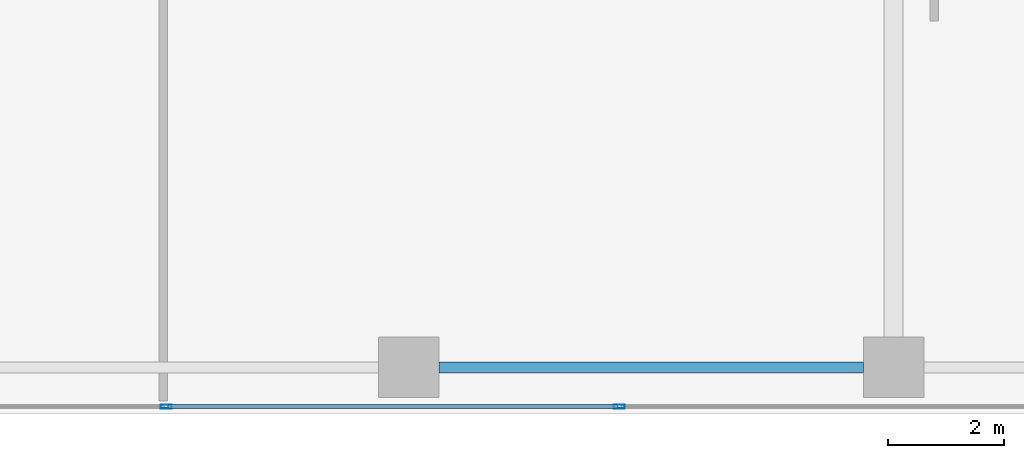
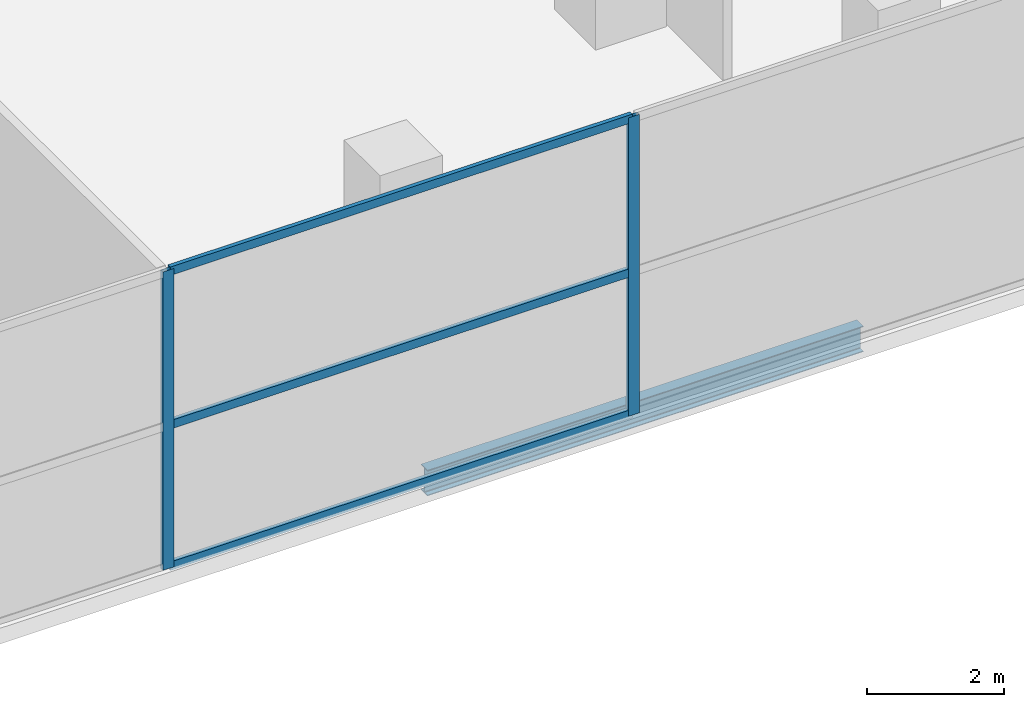
# One storey, part 13 of 40: 5 members, 1 beam, 1 element without a shape of its own.
"""IFC4 building model written with IfcOpenShell, lengths in metres."""

from ifc_helpers import new_model, si_unit, direction, frame, origin, origin_2d, place, context, subcontext, project, spatial, hollow_rectangle, i_section, extrude, material, layer, layer_set, material_profile, profile_set, type_object, element, aggregate, save


model = new_model("IFC4")

# Units and contexts
model_context = context("Model", 3, precision=1e-05, world=origin(), true_north=direction((0.0, 1.0)))
body_context = subcontext(model_context, "Body", "Model", "MODEL_VIEW")
ifc_project = project(units=[si_unit("LENGTHUNIT", "METRE"), si_unit("AREAUNIT", "SQUARE_METRE"), si_unit("VOLUMEUNIT", "CUBIC_METRE"), si_unit("PLANEANGLEUNIT", "RADIAN"), si_unit("MASSUNIT", "GRAM", prefix="KILO")], contexts=[model_context])

# Site, building, storey
site_placement = place(None, origin())
site = spatial("IfcSite", under=ifc_project, at=site_placement, CompositionType="ELEMENT")
building_placement = place(site_placement, origin())
building = spatial("IfcBuilding", under=site, at=building_placement, Name="Maruvema Waterfront Hotel and Observation Tower", CompositionType="ELEMENT")
storey_placement = place(building_placement, frame((0.0, 0.0, 10.85009765625)))
storey = spatial("IfcBuildingStorey", under=building, at=storey_placement, Name="L02", CompositionType="ELEMENT", Elevation=10.85009765625)

# Curtain wall, members
ifc_material_1 = material(Name="Anodised bronze aluminium and solar-control low-E IGU", Category="aluminium")
ifc_layer = layer(ifc_material_1, 0.159912109375, Name="Podium Waterfront Storefront Curtain Wall System CW-01")
ifc_layer_set = layer_set([ifc_layer], Name="Anodised bronze aluminium and solar-control low-E IGU")
curtain_wall_type = type_object("IfcCurtainWallType", Name="Podium Waterfront Storefront Curtain Wall System CW-01", PredefinedType="USERDEFINED", material=ifc_layer_set)
curtain_wall_placement = place(storey_placement, origin())
curtain_wall = element("IfcCurtainWall", 1, at=curtain_wall_placement, inside=storey, type_object=curtain_wall_type, Name="L02 Curtain Wall CW-L02-S", ObjectType="UNITISED CURTAIN WALL", PredefinedType="USERDEFINED")
ifc_material_2 = material(Name="Anodised architectural bronze aluminium", Category="aluminium")
ifc_material_profile_1 = material_profile(ifc_material_2, hollow_rectangle(XDim=0.070068359375, YDim=0.14990234375, WallThickness=0.00390625, at=origin_2d()), Name="ALU-T70x150")
ifc_profile_set_1 = profile_set([ifc_material_profile_1], Name="Anodised architectural bronze aluminium")
member_type_1 = type_object("IfcMemberType", Name="Curtain Wall Horizontal Transom ALU-T70x150", PredefinedType="USERDEFINED", material=ifc_profile_set_1)
member_1_placement = place(storey_placement, frame((37.830078125, 0.1201171875, 0.02978515625), z_axis=(1.0, 0.0, 0.0), x_axis=(0.0, 1.0, 0.0)))
member_1 = element("IfcMember", 2, at=member_1_placement, type_object=member_type_1, Name="CW-01 transom 5.1", ObjectType="TRANSOM", PredefinedType="USERDEFINED", context=body_context, shape_type="SweptSolid", body=[
    extrude(hollow_rectangle(XDim=0.070068359375, YDim=0.14990234375, WallThickness=0.00390625, at=origin_2d()), origin(), (0.0, 0.0, 1.0), 7.7900390625),
])
member_2_placement = place(storey_placement, frame((37.830078125, 0.1201171875, 2.5498046875), z_axis=(1.0, 0.0, 0.0), x_axis=(0.0, 1.0, 0.0)))
member_2 = element("IfcMember", 3, at=member_2_placement, type_object=member_type_1, Name="CW-01 transom 5.2", ObjectType="TRANSOM", PredefinedType="USERDEFINED", context=body_context, shape_type="SweptSolid", body=[
    extrude(hollow_rectangle(XDim=0.070068359375, YDim=0.14990234375, WallThickness=0.00390625, at=origin_2d()), origin(), (0.0, 0.0, 1.0), 7.7900390625),
])
member_3_placement = place(storey_placement, frame((37.830078125, 0.1201171875, 5.289794921875), z_axis=(1.0, 0.0, 0.0), x_axis=(0.0, 1.0, 0.0)))
member_3 = element("IfcMember", 4, at=member_3_placement, type_object=member_type_1, Name="CW-01 transom 5.3", ObjectType="TRANSOM", PredefinedType="USERDEFINED", context=body_context, shape_type="SweptSolid", body=[
    extrude(hollow_rectangle(XDim=0.070068359375, YDim=0.14990234375, WallThickness=0.00390625, at=origin_2d()), origin(), (0.0, 0.0, 1.0), 7.7900390625),
])

# Beam
ifc_material_3 = material(Name="Steel ASTM A572 Grade 50", Category="steel")
ifc_material_profile_2 = material_profile(ifc_material_3, i_section(OverallWidth=0.18994140625, OverallDepth=0.45703125, WebThickness=0.009033203125, FlangeThickness=0.014404296875, FilletRadius=0.014892578125, at=origin_2d()), Name="W460x74.0")
ifc_profile_set_2 = profile_set([ifc_material_profile_2], Name="Steel ASTM A572 Grade 50")
beam_type = type_object("IfcBeamType", Name="Perimeter Spandrel Beam W460x74.0", PredefinedType="SPANDREL", material=ifc_profile_set_2)
beam_placement = place(storey_placement, frame((42.52490234375, 0.800048828125, -0.508544921875), z_axis=(1.0, 0.0, 0.0), x_axis=(0.0, 1.0, 0.0)))
element("IfcBeam", 5, at=beam_placement, inside=storey, type_object=beam_type, Name="L02 Floor Girder EW-06", PredefinedType="SPANDREL", context=body_context, shape_type="SweptSolid", body=[
    extrude(i_section(OverallWidth=0.18994140625, OverallDepth=0.45703125, WebThickness=0.009033203125, FlangeThickness=0.014404296875, FilletRadius=0.014892578125, at=origin_2d()), origin(), (0.0, 0.0, 1.0), 7.35009765625),
])

# Member
ifc_material_4 = material(Name="Anodised architectural bronze aluminium", Category="aluminium")
ifc_material_profile_3 = material_profile(ifc_material_4, hollow_rectangle(XDim=0.070068359375, YDim=0.18994140625, WallThickness=0.00390625, at=origin_2d()), Name="ALU-M70x190")
ifc_profile_set_3 = profile_set([ifc_material_profile_3], Name="Anodised architectural bronze aluminium")
member_type_2 = type_object("IfcMemberType", Name="Podium Storefront Heavy Mullion ALU-M70x190", PredefinedType="MULLION", material=ifc_profile_set_3)
member_4_placement = place(storey_placement, frame((37.800048828125, 0.1201171875, 0.0), z_axis=(0.0, 0.0, 1.0), x_axis=(0.0, 1.0, 0.0)))
member_4 = element("IfcMember", 6, at=member_4_placement, type_object=member_type_2, Name="CW-01 mullion 5", PredefinedType="MULLION", context=body_context, shape_type="SweptSolid", body=[
    extrude(hollow_rectangle(XDim=0.070068359375, YDim=0.18994140625, WallThickness=0.00390625, at=origin_2d()), origin(), (0.0, 0.0, 1.0), 5.31982421875),
])

member_5_placement = place(storey_placement, frame((45.64990234375, 0.1201171875, 0.0), z_axis=(0.0, 0.0, 1.0), x_axis=(0.0, 1.0, 0.0)))
member_5 = element("IfcMember", 7, at=member_5_placement, type_object=member_type_2, Name="CW-01 mullion 6", PredefinedType="MULLION", context=body_context, shape_type="SweptSolid", body=[
    extrude(hollow_rectangle(XDim=0.070068359375, YDim=0.18994140625, WallThickness=0.00390625, at=origin_2d()), origin(), (0.0, 0.0, 1.0), 5.31982421875),
])

aggregate(curtain_wall, [member_4, member_5, member_1, member_2, member_3])

save(model, "model.ifc")
